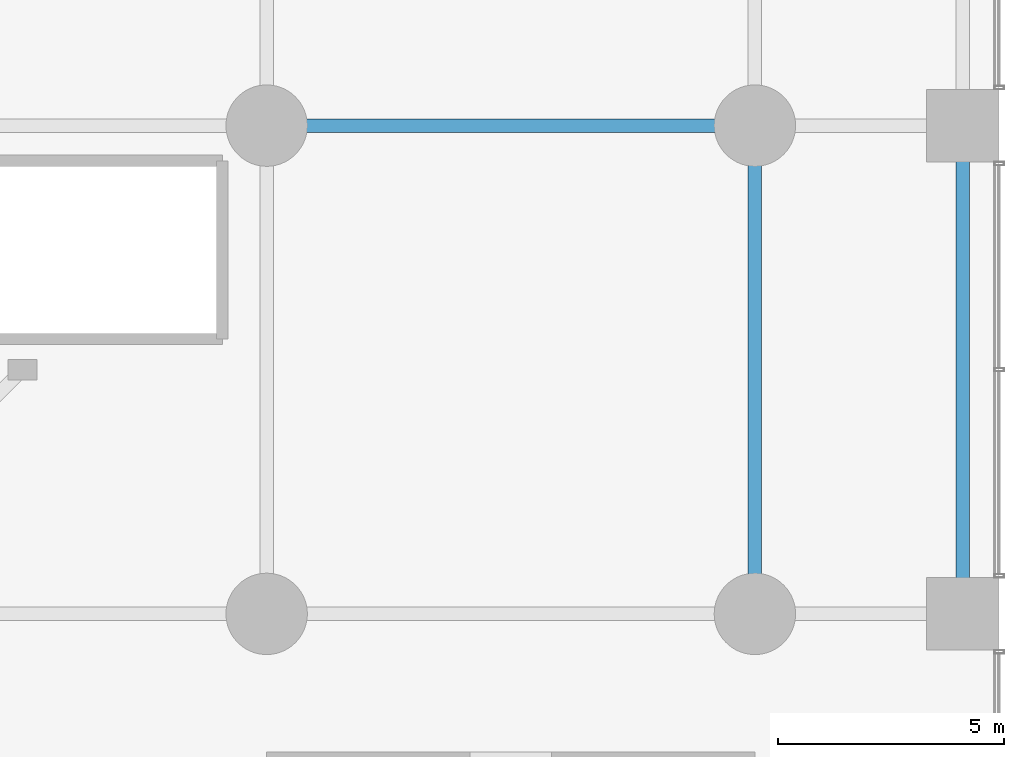
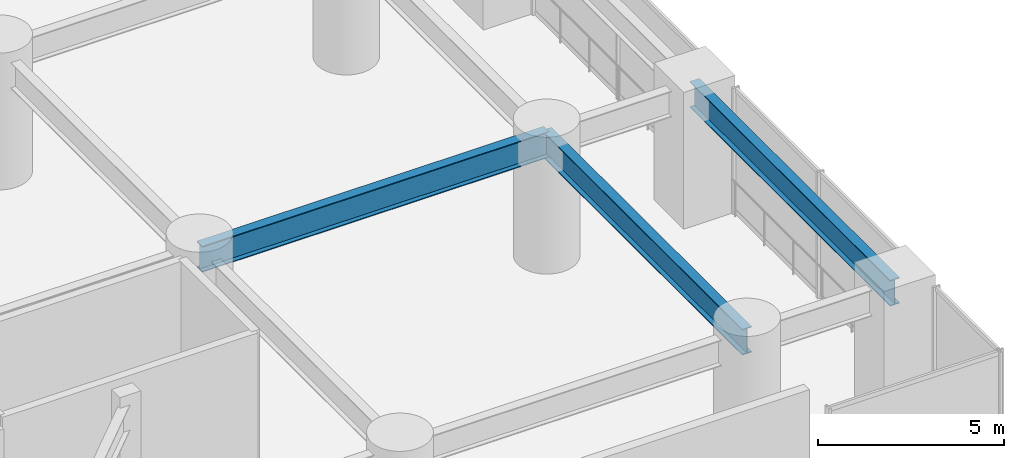
# One storey, part 19 of 35: 3 beams.
"""IFC4 building model written with IfcOpenShell, lengths in metres."""

from ifc_helpers import new_model, si_unit, direction, frame, origin, origin_2d, place, context, subcontext, project, spatial, i_section, extrude, material, material_profile, profile_set, type_object, element, save


model = new_model("IFC4")

# Units and contexts
model_context = context("Model", 3, precision=1e-05, world=origin(), true_north=direction((0.0, 1.0)))
body_context = subcontext(model_context, "Body", "Model", "MODEL_VIEW")
ifc_project = project(units=[si_unit("LENGTHUNIT", "METRE"), si_unit("AREAUNIT", "SQUARE_METRE"), si_unit("VOLUMEUNIT", "CUBIC_METRE"), si_unit("PLANEANGLEUNIT", "RADIAN"), si_unit("MASSUNIT", "GRAM", prefix="KILO")], contexts=[model_context])

# Site, building, storey
site_placement = place(None, origin())
site = spatial("IfcSite", under=ifc_project, at=site_placement, CompositionType="ELEMENT")
building_placement = place(site_placement, origin())
building = spatial("IfcBuilding", under=site, at=building_placement, Name="Surkhivell Harbour Commons", CompositionType="ELEMENT")
storey_placement = place(building_placement, frame((0.0, 0.0, 13.5)))
storey = spatial("IfcBuildingStorey", under=building, at=storey_placement, Name="L03", CompositionType="ELEMENT", Elevation=13.5)

# Beams
ifc_material = material(Name="Steel S460", Category="steel")
ifc_material_profile = material_profile(ifc_material, i_section(OverallWidth=0.2939453125, OverallDepth=0.85107421875, WebThickness=0.01611328125, FlangeThickness=0.02685546875, at=origin_2d()), Name="UB838x292x226")
ifc_profile_set = profile_set([ifc_material_profile], Name="Steel S460")
beam_type = type_object("IfcBeamType", Name="BM-SPN-838", PredefinedType="SPANDREL", material=ifc_profile_set)
beam_placement = place(storey_placement, frame((21.60009765625, -10.800048828125, 3.724609375), z_axis=(1.0, 0.0, 0.0), x_axis=(0.0, 1.0, 0.0)))
element("IfcBeam", 1, at=beam_placement, inside=storey, type_object=beam_type, Name="L03 Framing Beam (21.6,-10.8)", PredefinedType="SPANDREL", context=body_context, shape_type="SweptSolid", body=[
    extrude(i_section(OverallWidth=0.2939453125, OverallDepth=0.85107421875, WebThickness=0.01611328125, FlangeThickness=0.02685546875, at=origin_2d()), origin(), (0.0, 0.0, 1.0), 10.7998046875),
])
for number, where, z_axis, x_axis, name in (
    (2, (32.39990234375, -21.60009765625, 3.724609375), (0.0, 1.0, 0.0), (-1.0, 0.0, 0.0), "L03 Framing Beam (32.4,-21.6)"),
    (3, (37.0, -21.60009765625, 3.724609375), (0.0, 1.0, 0.0), (-1.0, 0.0, 0.0), "L03 Framing Beam (37.0,-21.6)"),
):
    element("IfcBeam", number, at=place(storey_placement, frame(where, z_axis=z_axis, x_axis=x_axis)), inside=storey, type_object=beam_type, Name=name, PredefinedType="SPANDREL", context=body_context, shape_type="SweptSolid", body=[
        extrude(i_section(OverallWidth=0.2939453125, OverallDepth=0.85107421875, WebThickness=0.01611328125, FlangeThickness=0.02685546875, at=origin_2d()), origin(), (0.0, 0.0, 1.0), 10.800048828125),
    ])

save(model, "model.ifc")
